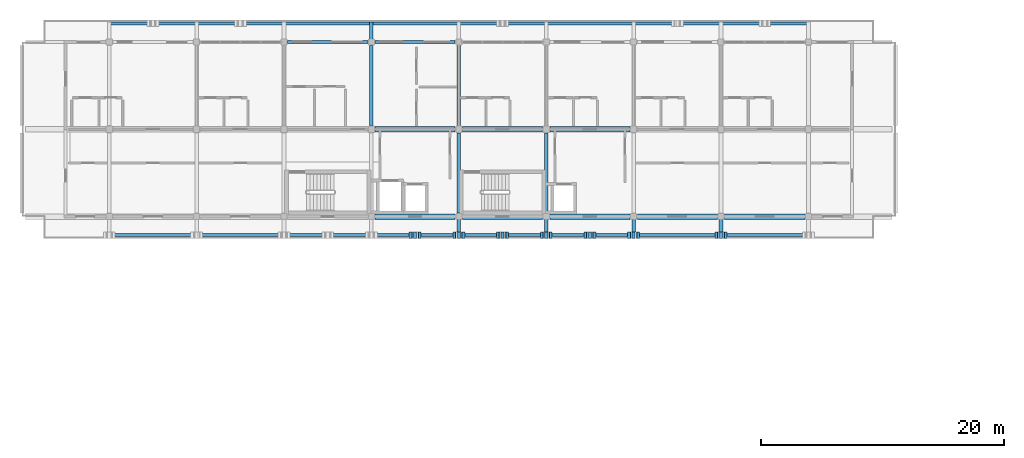
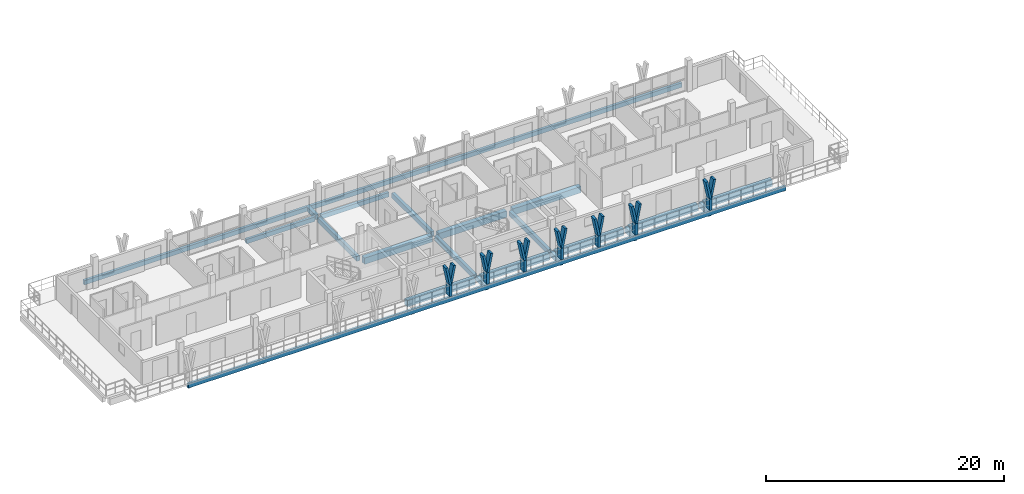
# One storey, part 10 of 45: 21 beams, 21 members.
"""IFC4 building model written with IfcOpenShell, lengths in metres."""

from ifc_helpers import new_model, si_unit, direction, frame, origin, origin_2d, place, context, subcontext, project, spatial, rectangle, extrude, material, material_profile, profile_set, type_object, element, save


model = new_model("IFC4")

# Units and contexts
model_context = context("Model", 3, precision=1e-05, world=origin(), true_north=direction((0.0, 1.0)))
body_context = subcontext(model_context, "Body", "Model", "MODEL_VIEW")
ifc_project = project(units=[si_unit("LENGTHUNIT", "METRE"), si_unit("AREAUNIT", "SQUARE_METRE"), si_unit("VOLUMEUNIT", "CUBIC_METRE"), si_unit("PLANEANGLEUNIT", "RADIAN"), si_unit("MASSUNIT", "GRAM", prefix="KILO")], contexts=[model_context])

# Site, building, storey
site_placement = place(None, origin())
site = spatial("IfcSite", under=ifc_project, at=site_placement, CompositionType="ELEMENT")
building_placement = place(site_placement, origin())
building = spatial("IfcBuilding", under=site, at=building_placement, Name="Suanplinth Sawtooth Commons", CompositionType="ELEMENT")
storey_placement = place(building_placement, frame((0.0, 0.0, 38.0)))
storey = spatial("IfcBuildingStorey", under=building, at=storey_placement, Name="L11", CompositionType="ELEMENT", Elevation=38.0)

# Beams
ifc_material_1 = material(Name="Precast concrete C40/50", Category="concrete")
ifc_material_profile_1 = material_profile(ifc_material_1, rectangle(XDim=0.449951171875, YDim=0.64990234375, at=origin_2d()), Name="PC-GDR 450x650")
ifc_profile_set_1 = profile_set([ifc_material_profile_1], Name="Precast concrete C40/50")
beam_type_1 = type_object("IfcBeamType", Name="B-04", PredefinedType="USERDEFINED", material=ifc_profile_set_1)
for number, where, z_axis, x_axis, name in (
    (1, (50.699951171875, 108.0, -0.56494140625), (1.0, 0.0, 0.0), (0.0, 1.0, 0.0), "BMX-L11-A-7-15"),
    (2, (50.699951171875, 115.199951171875, -0.56494140625), (1.0, 0.0, 0.0), (0.0, 1.0, 0.0), "BMX-L11-A-7-16"),
    (3, (57.89990234375, 108.0, -0.56494140625), (1.0, 0.0, 0.0), (0.0, 1.0, 0.0), "BMX-L11-A-8-15"),
    (4, (57.89990234375, 115.199951171875, -0.56494140625), (1.0, 0.0, 0.0), (0.0, 1.0, 0.0), "BMX-L11-A-8-16"),
):
    element("IfcBeam", number, at=place(storey_placement, frame(where, z_axis=z_axis, x_axis=x_axis)), inside=storey, type_object=beam_type_1, Name=name, ObjectType="GIRDER", PredefinedType="USERDEFINED", context=body_context, shape_type="SweptSolid", body=[
        extrude(rectangle(XDim=0.449951171875, YDim=0.64990234375, at=origin_2d()), origin(), (0.0, 0.0, 1.0), 6.60009765625),
    ])
for number, where, z_axis, x_axis, name in (
    (5, (65.10009765625, 108.0, -0.56494140625), (1.0, 0.0, 0.0), (0.0, 1.0, 0.0), "BMX-L11-A-9-15"),
    (6, (65.10009765625, 115.199951171875, -0.56494140625), (1.0, 0.0, 0.0), (0.0, 1.0, 0.0), "BMX-L11-A-9-16"),
    (7, (72.300048828125, 108.0, -0.56494140625), (1.0, 0.0, 0.0), (0.0, 1.0, 0.0), "BMX-L11-A-10-15"),
):
    element("IfcBeam", number, at=place(storey_placement, frame(where, z_axis=z_axis, x_axis=x_axis)), inside=storey, type_object=beam_type_1, Name=name, ObjectType="GIRDER", PredefinedType="USERDEFINED", context=body_context, shape_type="SweptSolid", body=[
        extrude(rectangle(XDim=0.449951171875, YDim=0.64990234375, at=origin_2d()), origin(), (0.0, 0.0, 1.0), 6.599853515625),
    ])
beam_1_placement = place(storey_placement, frame((79.5, 108.0, -0.56494140625), z_axis=(1.0, 0.0, 0.0), x_axis=(0.0, 1.0, 0.0)))
element("IfcBeam", 8, at=beam_1_placement, inside=storey, type_object=beam_type_1, Name="BMX-L11-A-11-15", ObjectType="GIRDER", PredefinedType="USERDEFINED", context=body_context, shape_type="SweptSolid", body=[
    extrude(rectangle(XDim=0.449951171875, YDim=0.64990234375, at=origin_2d()), origin(), (0.0, 0.0, 1.0), 6.60009765625),
])
ifc_material_profile_2 = material_profile(ifc_material_1, rectangle(XDim=0.300048828125, YDim=0.5, at=origin_2d()), Name="PC-BM 300x500")
ifc_profile_set_2 = profile_set([ifc_material_profile_2], Name="Precast concrete C40/50")
beam_type_2 = type_object("IfcBeamType", Name="B-07", PredefinedType="BEAM", material=ifc_profile_set_2)
beam_2_placement = place(storey_placement, frame((50.39990234375, 115.5, -0.489990234375), z_axis=(0.0, 1.0, 0.0), x_axis=(-1.0, 0.0, 0.0)))
element("IfcBeam", 9, at=beam_2_placement, inside=storey, type_object=beam_type_2, Name="BMY-L11-A-7-16", PredefinedType="BEAM", context=body_context, shape_type="SweptSolid", body=[
    extrude(rectangle(XDim=0.300048828125, YDim=0.5, at=origin_2d()), origin(), (0.0, 0.0, 1.0), 6.60009765625),
])
beam_3_placement = place(storey_placement, frame((57.60009765625, 108.300048828125, -0.489990234375), z_axis=(0.0, 1.0, 0.0), x_axis=(-1.0, 0.0, 0.0)))
element("IfcBeam", 10, at=beam_3_placement, inside=storey, type_object=beam_type_2, Name="BMY-L11-A-8-15", PredefinedType="BEAM", context=body_context, shape_type="SweptSolid", body=[
    extrude(rectangle(XDim=0.300048828125, YDim=0.5, at=origin_2d()), origin(), (0.0, 0.0, 1.0), 6.599853515625),
])
beam_4_placement = place(storey_placement, frame((57.60009765625, 115.5, -0.489990234375), z_axis=(0.0, 1.0, 0.0), x_axis=(-1.0, 0.0, 0.0)))
element("IfcBeam", 11, at=beam_4_placement, inside=storey, type_object=beam_type_2, Name="BMY-L11-A-8-16", PredefinedType="BEAM", context=body_context, shape_type="SweptSolid", body=[
    extrude(rectangle(XDim=0.300048828125, YDim=0.5, at=origin_2d()), origin(), (0.0, 0.0, 1.0), 6.60009765625),
])
beam_5_placement = place(storey_placement, frame((64.800048828125, 108.300048828125, -0.489990234375), z_axis=(0.0, 1.0, 0.0), x_axis=(-1.0, 0.0, 0.0)))
element("IfcBeam", 12, at=beam_5_placement, inside=storey, type_object=beam_type_2, Name="BMY-L11-A-9-15", PredefinedType="BEAM", context=body_context, shape_type="SweptSolid", body=[
    extrude(rectangle(XDim=0.300048828125, YDim=0.5, at=origin_2d()), origin(), (0.0, 0.0, 1.0), 6.599853515625),
])
beam_6_placement = place(storey_placement, frame((50.39990234375, 122.39990234375, -0.429931640625), z_axis=(0.0, 1.0, 0.0), x_axis=(-1.0, 0.0, 0.0)))
element("IfcBeam", 13, at=beam_6_placement, inside=storey, type_object=beam_type_2, Name="Balcony Outrigger L11-A-N-7", PredefinedType="BEAM", context=body_context, shape_type="SweptSolid", body=[
    extrude(rectangle(XDim=0.300048828125, YDim=0.5, at=origin_2d()), origin(), (0.0, 0.0, 1.0), 1.64013671875),
])
for number, where, z_axis, x_axis, name in (
    (14, (57.60009765625, 108.0, -0.429931640625), (0.0, -1.0, 0.0), (1.0, 0.0, 0.0), "Balcony Outrigger L11-A-S-8"),
    (15, (64.800048828125, 108.0, -0.429931640625), (0.0, -1.0, 0.0), (1.0, 0.0, 0.0), "Balcony Outrigger L11-A-S-9"),
    (16, (72.0, 108.0, -0.429931640625), (0.0, -1.0, 0.0), (1.0, 0.0, 0.0), "Balcony Outrigger L11-A-S-10"),
    (17, (79.199951171875, 108.0, -0.429931640625), (0.0, -1.0, 0.0), (1.0, 0.0, 0.0), "Balcony Outrigger L11-A-S-11"),
):
    element("IfcBeam", number, at=place(storey_placement, frame(where, z_axis=z_axis, x_axis=x_axis)), inside=storey, type_object=beam_type_2, Name=name, PredefinedType="BEAM", context=body_context, shape_type="SweptSolid", body=[
        extrude(rectangle(XDim=0.300048828125, YDim=0.5, at=origin_2d()), origin(), (0.0, 0.0, 1.0), 1.639892578125),
    ])
ifc_material_profile_3 = material_profile(ifc_material_1, rectangle(XDim=0.25, YDim=0.449951171875, at=origin_2d()), Name="PC-SP 250x450")
ifc_profile_set_3 = profile_set([ifc_material_profile_3], Name="Precast concrete C40/50")
beam_type_3 = type_object("IfcBeamType", Name="B-09", PredefinedType="SPANDREL", material=ifc_profile_set_3)
for number, where, z_axis, x_axis, name in (
    (18, (43.5, 122.39990234375, -0.465087890625), (1.0, 0.0, 0.0), (0.0, 1.0, 0.0), "BMX-L11-A-6-17"),
    (19, (50.699951171875, 122.39990234375, -0.465087890625), (1.0, 0.0, 0.0), (0.0, 1.0, 0.0), "BMX-L11-A-7-17"),
):
    element("IfcBeam", number, at=place(storey_placement, frame(where, z_axis=z_axis, x_axis=x_axis)), inside=storey, type_object=beam_type_3, Name=name, PredefinedType="SPANDREL", context=body_context, shape_type="SweptSolid", body=[
        extrude(rectangle(XDim=0.25, YDim=0.449951171875, at=origin_2d()), origin(), (0.0, 0.0, 1.0), 6.60009765625),
    ])
for number, where, z_axis, x_axis, name in (
    (20, (28.64990234375, 123.919921875, -0.405029296875), (1.0, 0.0, 0.0), (0.0, 1.0, 0.0), "Balcony Edge Fascia L11-A-N"),
    (21, (28.64990234375, 106.47998046875, -0.405029296875), (1.0, 0.0, 0.0), (0.0, 1.0, 0.0), "Balcony Edge Fascia L11-A-S"),
):
    element("IfcBeam", number, at=place(storey_placement, frame(where, z_axis=z_axis, x_axis=x_axis)), inside=storey, type_object=beam_type_3, Name=name, PredefinedType="SPANDREL", context=body_context, shape_type="SweptSolid", body=[
        extrude(rectangle(XDim=0.25, YDim=0.449951171875, at=origin_2d()), origin(), (0.0, 0.0, 1.0), 57.900146484375),
    ])

# Members
ifc_material_2 = material(Name="Pigmented precast concrete C40/50", Category="concrete")
ifc_material_profile_4 = material_profile(ifc_material_2, rectangle(XDim=0.260009765625, YDim=0.550048828125, at=origin_2d()), Name="PC-FIN 260x550")
ifc_profile_set_4 = profile_set([ifc_material_profile_4], Name="Pigmented precast concrete C40/50")
member_type_1 = type_object("IfcMemberType", Name="M-09", PredefinedType="USERDEFINED", material=ifc_profile_set_4)
for number, where, z_axis, x_axis, name in (
    (22, (54.0, 106.47998046875, 0.0), (0.0, 0.0, 1.0), (1.0, 0.0, 0.0), "Y-Blade Stem L11-A-S-11"),
    (23, (57.60009765625, 106.47998046875, 0.0), (0.0, 0.0, 1.0), (1.0, 0.0, 0.0), "Y-Blade Stem L11-A-S-12"),
    (24, (61.199951171875, 106.47998046875, 0.0), (0.0, 0.0, 1.0), (1.0, 0.0, 0.0), "Y-Blade Stem L11-A-S-13"),
    (25, (64.800048828125, 106.47998046875, 0.0), (0.0, 0.0, 1.0), (1.0, 0.0, 0.0), "Y-Blade Stem L11-A-S-14"),
    (26, (68.39990234375, 106.47998046875, 0.0), (0.0, 0.0, 1.0), (1.0, 0.0, 0.0), "Y-Blade Stem L11-A-S-15"),
    (27, (72.0, 106.47998046875, 0.0), (0.0, 0.0, 1.0), (1.0, 0.0, 0.0), "Y-Blade Stem L11-A-S-16"),
    (28, (79.199951171875, 106.47998046875, 0.0), (0.0, 0.0, 1.0), (1.0, 0.0, 0.0), "Y-Blade Stem L11-A-S-17"),
):
    element("IfcMember", number, at=place(storey_placement, frame(where, z_axis=z_axis, x_axis=x_axis)), inside=storey, type_object=member_type_1, Name=name, ObjectType="SHADING FIN", PredefinedType="USERDEFINED", context=body_context, shape_type="SweptSolid", body=[
        extrude(rectangle(XDim=0.260009765625, YDim=0.550048828125, at=origin_2d()), origin(), (0.0, 0.0, 1.0), 1.169921875),
    ])
ifc_material_profile_5 = material_profile(ifc_material_2, rectangle(XDim=0.219970703125, YDim=0.550048828125, at=origin_2d()), Name="PC-FIN 220x550")
ifc_profile_set_5 = profile_set([ifc_material_profile_5], Name="Pigmented precast concrete C40/50")
member_type_2 = type_object("IfcMemberType", Name="M-10", PredefinedType="USERDEFINED", material=ifc_profile_set_5)
for number, where, z_axis, x_axis, name in (
    (29, (54.0, 106.47998046875, 1.1298828125), (-0.196406855569, 0.0, 0.980522486782), (0.980522486782, 0.0, 0.196406855569), "Y-Blade Arm L L11-A-S-11"),
    (30, (54.0, 106.47998046875, 1.1298828125), (0.196406855569, 0.0, 0.980522486782), (-0.980522486782, 0.0, 0.196406855569), "Y-Blade Arm R L11-A-S-11"),
    (31, (57.60009765625, 106.47998046875, 1.1298828125), (-0.196406855569, 0.0, 0.980522486782), (0.980522486782, 0.0, 0.196406855569), "Y-Blade Arm L L11-A-S-12"),
):
    element("IfcMember", number, at=place(storey_placement, frame(where, z_axis=z_axis, x_axis=x_axis)), inside=storey, type_object=member_type_2, Name=name, ObjectType="SHADING FIN", PredefinedType="USERDEFINED", context=body_context, shape_type="SweptSolid", body=[
        extrude(rectangle(XDim=0.219970703125, YDim=0.550048828125, at=origin_2d()), origin(), (0.0, 0.0, 1.0), 1.93798828125),
    ])
for number, where, z_axis, x_axis, name in (
    (32, (57.60009765625, 106.47998046875, 1.1298828125), (0.196285728346, 0.0, 0.980546741796), (-0.980546741796, 0.0, 0.196285728346), "Y-Blade Arm R L11-A-S-12"),
    (33, (61.199951171875, 106.47998046875, 1.1298828125), (-0.196285728346, 0.0, 0.980546741796), (0.980546741796, 0.0, 0.196285728346), "Y-Blade Arm L L11-A-S-13"),
):
    element("IfcMember", number, at=place(storey_placement, frame(where, z_axis=z_axis, x_axis=x_axis)), inside=storey, type_object=member_type_2, Name=name, ObjectType="SHADING FIN", PredefinedType="USERDEFINED", context=body_context, shape_type="SweptSolid", body=[
        extrude(rectangle(XDim=0.219970703125, YDim=0.550048828125, at=origin_2d()), origin(), (0.0, 0.0, 1.0), 1.937744140625),
    ])
for number, where, z_axis, x_axis, name in (
    (34, (61.199951171875, 106.47998046875, 1.1298828125), (0.196406855569, 0.0, 0.980522486782), (-0.980522486782, 0.0, 0.196406855569), "Y-Blade Arm R L11-A-S-13"),
    (35, (64.800048828125, 106.47998046875, 1.1298828125), (-0.196406855569, 0.0, 0.980522486782), (0.980522486782, 0.0, 0.196406855569), "Y-Blade Arm L L11-A-S-14"),
):
    element("IfcMember", number, at=place(storey_placement, frame(where, z_axis=z_axis, x_axis=x_axis)), inside=storey, type_object=member_type_2, Name=name, ObjectType="SHADING FIN", PredefinedType="USERDEFINED", context=body_context, shape_type="SweptSolid", body=[
        extrude(rectangle(XDim=0.219970703125, YDim=0.550048828125, at=origin_2d()), origin(), (0.0, 0.0, 1.0), 1.93798828125),
    ])
for number, where, z_axis, x_axis, name in (
    (36, (64.800048828125, 106.47998046875, 1.1298828125), (0.196285728346, 0.0, 0.980546741796), (-0.980546741796, 0.0, 0.196285728346), "Y-Blade Arm R L11-A-S-14"),
    (37, (68.39990234375, 106.47998046875, 1.1298828125), (-0.196285728346, 0.0, 0.980546741796), (0.980546741796, 0.0, 0.196285728346), "Y-Blade Arm L L11-A-S-15"),
):
    element("IfcMember", number, at=place(storey_placement, frame(where, z_axis=z_axis, x_axis=x_axis)), inside=storey, type_object=member_type_2, Name=name, ObjectType="SHADING FIN", PredefinedType="USERDEFINED", context=body_context, shape_type="SweptSolid", body=[
        extrude(rectangle(XDim=0.219970703125, YDim=0.550048828125, at=origin_2d()), origin(), (0.0, 0.0, 1.0), 1.937744140625),
    ])
for number, where, z_axis, x_axis, name in (
    (38, (68.39990234375, 106.47998046875, 1.1298828125), (0.196406855569, 0.0, 0.980522486782), (-0.980522486782, 0.0, 0.196406855569), "Y-Blade Arm R L11-A-S-15"),
    (39, (72.0, 106.47998046875, 1.1298828125), (-0.196406855569, 0.0, 0.980522486782), (0.980522486782, 0.0, 0.196406855569), "Y-Blade Arm L L11-A-S-16"),
    (40, (72.0, 106.47998046875, 1.1298828125), (0.196406855569, 0.0, 0.980522486782), (-0.980522486782, 0.0, 0.196406855569), "Y-Blade Arm R L11-A-S-16"),
):
    element("IfcMember", number, at=place(storey_placement, frame(where, z_axis=z_axis, x_axis=x_axis)), inside=storey, type_object=member_type_2, Name=name, ObjectType="SHADING FIN", PredefinedType="USERDEFINED", context=body_context, shape_type="SweptSolid", body=[
        extrude(rectangle(XDim=0.219970703125, YDim=0.550048828125, at=origin_2d()), origin(), (0.0, 0.0, 1.0), 1.93798828125),
    ])
member_1_placement = place(storey_placement, frame((79.199951171875, 106.47998046875, 1.1298828125), z_axis=(-0.196285728346, 0.0, 0.980546741796), x_axis=(0.980546741796, 0.0, 0.196285728346)))
element("IfcMember", 41, at=member_1_placement, inside=storey, type_object=member_type_2, Name="Y-Blade Arm L L11-A-S-17", ObjectType="SHADING FIN", PredefinedType="USERDEFINED", context=body_context, shape_type="SweptSolid", body=[
    extrude(rectangle(XDim=0.219970703125, YDim=0.550048828125, at=origin_2d()), origin(), (0.0, 0.0, 1.0), 1.937744140625),
])
member_2_placement = place(storey_placement, frame((79.199951171875, 106.47998046875, 1.1298828125), z_axis=(0.196406855569, 0.0, 0.980522486782), x_axis=(-0.980522486782, 0.0, 0.196406855569)))
element("IfcMember", 42, at=member_2_placement, inside=storey, type_object=member_type_2, Name="Y-Blade Arm R L11-A-S-17", ObjectType="SHADING FIN", PredefinedType="USERDEFINED", context=body_context, shape_type="SweptSolid", body=[
    extrude(rectangle(XDim=0.219970703125, YDim=0.550048828125, at=origin_2d()), origin(), (0.0, 0.0, 1.0), 1.93798828125),
])

save(model, "model.ifc")
